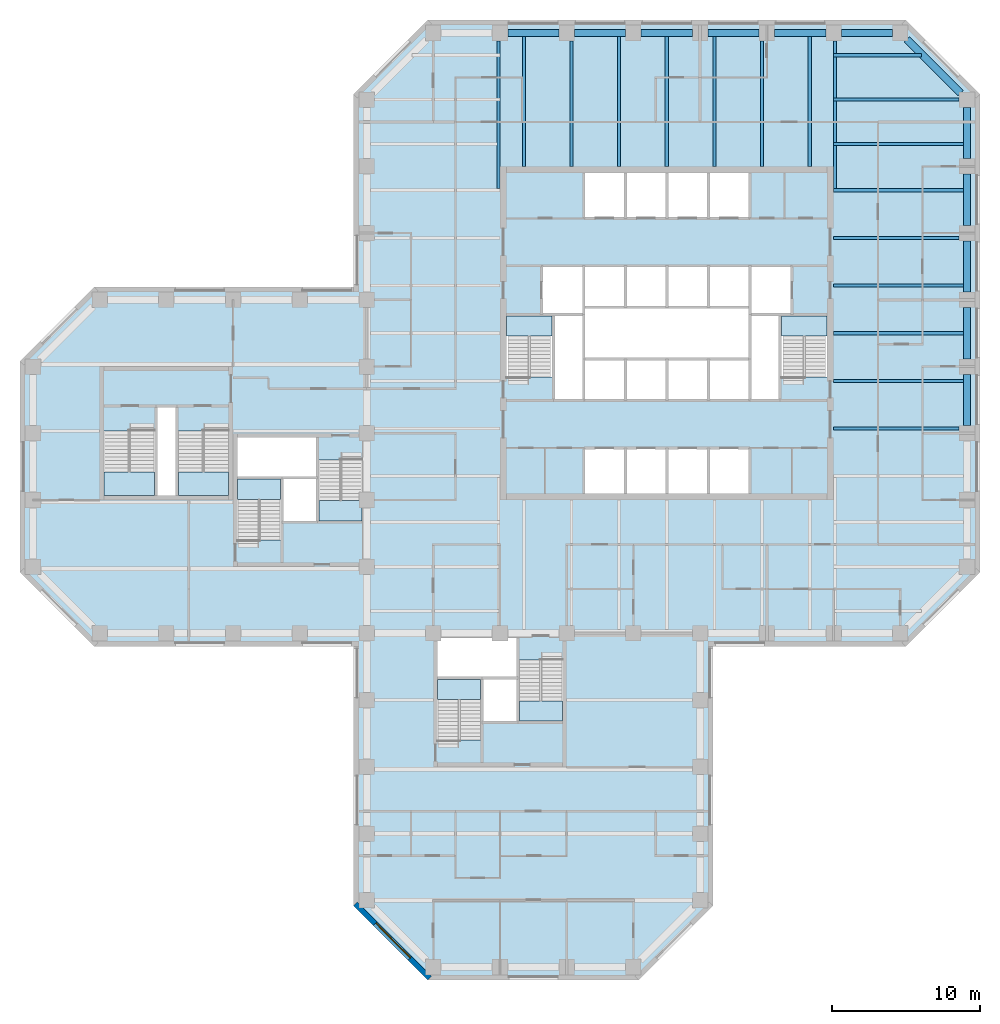
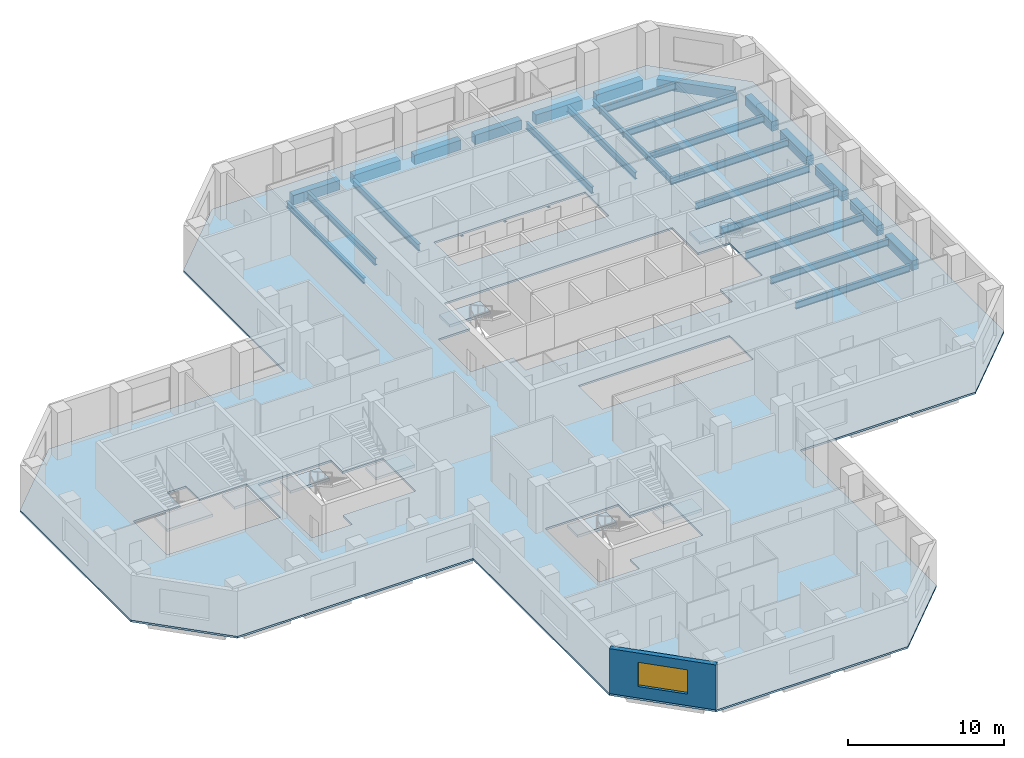
# One storey, part 2 of 11: 30 beams, 9 slabs, 1 wall, 1 window, 1 opening, 8 elements without a shape of their own.
"""IFC4 building model written with IfcOpenShell, lengths in metres."""

from ifc_helpers import new_model, si_unit, direction, frame, frame_2d, origin, origin_2d, place, context, subcontext, project, spatial, polyline, rectangle, i_section, outline, extrude, material, layer, layer_set, constituent, constituent_set, material_profile, profile_set, type_object, element, fill, aggregate, save


model = new_model("IFC4")

# Units and contexts
model_context = context("Model", 3, precision=1e-05, world=origin(), true_north=direction((0.0, 1.0)))
body_context = subcontext(model_context, "Body", "Model", "MODEL_VIEW")
ifc_project = project(units=[si_unit("LENGTHUNIT", "METRE"), si_unit("AREAUNIT", "SQUARE_METRE"), si_unit("VOLUMEUNIT", "CUBIC_METRE"), si_unit("PLANEANGLEUNIT", "RADIAN"), si_unit("MASSUNIT", "GRAM", prefix="KILO")], contexts=[model_context])

# Site, building, storey
site_placement = place(None, origin())
site = spatial("IfcSite", under=ifc_project, at=site_placement, CompositionType="ELEMENT")
building_placement = place(site_placement, origin())
building = spatial("IfcBuilding", under=site, at=building_placement, Name="Quoin Convention Tower", CompositionType="ELEMENT")
storey_placement = place(building_placement, frame((0.0, 0.0, 130.699951171875)))
storey = spatial("IfcBuildingStorey", under=building, at=storey_placement, Name="L34", CompositionType="ELEMENT", Elevation=130.699951171875)

# Beams
ifc_material_1 = material(Name="Steel Grade 300", Category="steel")
ifc_material_profile_1 = material_profile(ifc_material_1, i_section(OverallWidth=0.18994140625, OverallDepth=0.4541015625, WebThickness=0.008544921875, FlangeThickness=0.0126953125, FilletRadius=0.011474609375, at=origin_2d()), Name="460UB67.1")
ifc_profile_set_1 = profile_set([ifc_material_profile_1], Name="Steel Grade 300")
beam_type_1 = type_object("IfcBeamType", Name="460UB67.1", PredefinedType="BEAM", material=ifc_profile_set_1)
for number, where, z_axis, x_axis, name in (
    (1, (44.8955078125, 80.47509765625, -0.376953125), (0.0, -1.0, 0.0), (1.0, 0.0, 0.0), "gir-L34-T1NW"),
    (2, (67.6044921875, 80.47509765625, -0.376953125), (0.0, -1.0, 0.0), (1.0, 0.0, 0.0), "gir-L34-T1NE"),
):
    element("IfcBeam", number, at=place(storey_placement, frame(where, z_axis=z_axis, x_axis=x_axis)), inside=storey, type_object=beam_type_1, Name=name, PredefinedType="BEAM", context=body_context, shape_type="SweptSolid", body=[
        extrude(i_section(OverallWidth=0.18994140625, OverallDepth=0.4541015625, WebThickness=0.008544921875, FlangeThickness=0.0126953125, FilletRadius=0.011474609375, at=origin_2d()), origin(), (0.0, 0.0, 1.0), 9.977783203125),
    ])
ifc_material_profile_2 = material_profile(ifc_material_1, i_section(OverallWidth=0.208984375, OverallDepth=0.528076171875, WebThickness=0.009521484375, FlangeThickness=0.01318359375, FilletRadius=0.013916015625, at=origin_2d()), Name="530UB82.0")
ifc_profile_set_2 = profile_set([ifc_material_profile_2], Name="Steel Grade 300")
beam_type_2 = type_object("IfcBeamType", Name="530UB82.0", PredefinedType="BEAM", material=ifc_profile_set_2)
beam_1_placement = place(storey_placement, frame((67.5, 54.3212890625, -0.4140625), z_axis=(1.0, 0.0, 0.0), x_axis=(0.0, 1.0, 0.0)))
element("IfcBeam", 3, at=beam_1_placement, inside=storey, type_object=beam_type_2, Name="bm-L34-T1E1", PredefinedType="BEAM", context=body_context, shape_type="SweptSolid", body=[
    extrude(i_section(OverallWidth=0.208984375, OverallDepth=0.528076171875, WebThickness=0.009521484375, FlangeThickness=0.01318359375, FilletRadius=0.013916015625, at=origin_2d()), origin(), (0.0, 0.0, 1.0), 8.47509765625),
])
for number, where, z_axis, x_axis, name in (
    (4, (67.5, 57.53564453125, -0.4140625), (1.0, 0.0, 0.0), (0.0, 1.0, 0.0), "bm-L34-T1E2"),
    (5, (67.5, 60.75, -0.4140625), (1.0, 0.0, 0.0), (0.0, 1.0, 0.0), "bm-L34-T1E3"),
    (6, (67.5, 63.96435546875, -0.4140625), (1.0, 0.0, 0.0), (0.0, 1.0, 0.0), "bm-L34-T1E4"),
):
    element("IfcBeam", number, at=place(storey_placement, frame(where, z_axis=z_axis, x_axis=x_axis)), inside=storey, type_object=beam_type_2, Name=name, PredefinedType="BEAM", context=body_context, shape_type="SweptSolid", body=[
        extrude(i_section(OverallWidth=0.208984375, OverallDepth=0.528076171875, WebThickness=0.009521484375, FlangeThickness=0.01318359375, FilletRadius=0.013916015625, at=origin_2d()), origin(), (0.0, 0.0, 1.0), 8.75),
    ])
beam_2_placement = place(storey_placement, frame((67.5, 67.1787109375, -0.4140625), z_axis=(1.0, 0.0, 0.0), x_axis=(0.0, 1.0, 0.0)))
element("IfcBeam", 7, at=beam_2_placement, inside=storey, type_object=beam_type_2, Name="bm-L34-T1E5", PredefinedType="BEAM", context=body_context, shape_type="SweptSolid", body=[
    extrude(i_section(OverallWidth=0.208984375, OverallDepth=0.528076171875, WebThickness=0.009521484375, FlangeThickness=0.01318359375, FilletRadius=0.013916015625, at=origin_2d()), origin(), (0.0, 0.0, 1.0), 8.47509765625),
])
for number, where, z_axis, x_axis, name in (
    (8, (67.5, 70.392822265625, -0.4140625), (1.0, 0.0, 0.0), (0.0, 1.0, 0.0), "bm-L34-T1E6"),
    (9, (46.607177734375, 72.0, -0.4140625), (0.0, 1.0, 0.0), (-1.0, 0.0, 0.0), "bm-L34-T1N0"),
):
    element("IfcBeam", number, at=place(storey_placement, frame(where, z_axis=z_axis, x_axis=x_axis)), inside=storey, type_object=beam_type_2, Name=name, PredefinedType="BEAM", context=body_context, shape_type="SweptSolid", body=[
        extrude(i_section(OverallWidth=0.208984375, OverallDepth=0.528076171875, WebThickness=0.009521484375, FlangeThickness=0.01318359375, FilletRadius=0.013916015625, at=origin_2d()), origin(), (0.0, 0.0, 1.0), 8.75),
    ])
beam_3_placement = place(storey_placement, frame((49.8212890625, 72.0, -0.4140625), z_axis=(0.0, 1.0, 0.0), x_axis=(-1.0, 0.0, 0.0)))
element("IfcBeam", 10, at=beam_3_placement, inside=storey, type_object=beam_type_2, Name="bm-L34-T1N1", PredefinedType="BEAM", context=body_context, shape_type="SweptSolid", body=[
    extrude(i_section(OverallWidth=0.208984375, OverallDepth=0.528076171875, WebThickness=0.009521484375, FlangeThickness=0.01318359375, FilletRadius=0.013916015625, at=origin_2d()), origin(), (0.0, 0.0, 1.0), 8.47509765625),
])
for number, where, z_axis, x_axis, name in (
    (11, (53.03564453125, 72.0, -0.4140625), (0.0, 1.0, 0.0), (-1.0, 0.0, 0.0), "bm-L34-T1N2"),
    (12, (56.25, 72.0, -0.4140625), (0.0, 1.0, 0.0), (-1.0, 0.0, 0.0), "bm-L34-T1N3"),
    (13, (59.46435546875, 72.0, -0.4140625), (0.0, 1.0, 0.0), (-1.0, 0.0, 0.0), "bm-L34-T1N4"),
):
    element("IfcBeam", number, at=place(storey_placement, frame(where, z_axis=z_axis, x_axis=x_axis)), inside=storey, type_object=beam_type_2, Name=name, PredefinedType="BEAM", context=body_context, shape_type="SweptSolid", body=[
        extrude(i_section(OverallWidth=0.208984375, OverallDepth=0.528076171875, WebThickness=0.009521484375, FlangeThickness=0.01318359375, FilletRadius=0.013916015625, at=origin_2d()), origin(), (0.0, 0.0, 1.0), 8.75),
    ])
beam_4_placement = place(storey_placement, frame((62.6787109375, 72.0, -0.4140625), z_axis=(0.0, 1.0, 0.0), x_axis=(-1.0, 0.0, 0.0)))
element("IfcBeam", 14, at=beam_4_placement, inside=storey, type_object=beam_type_2, Name="bm-L34-T1N5", PredefinedType="BEAM", context=body_context, shape_type="SweptSolid", body=[
    extrude(i_section(OverallWidth=0.208984375, OverallDepth=0.528076171875, WebThickness=0.009521484375, FlangeThickness=0.01318359375, FilletRadius=0.013916015625, at=origin_2d()), origin(), (0.0, 0.0, 1.0), 8.47509765625),
])
beam_5_placement = place(storey_placement, frame((65.892822265625, 72.0, -0.4140625), z_axis=(0.0, 1.0, 0.0), x_axis=(-1.0, 0.0, 0.0)))
element("IfcBeam", 15, at=beam_5_placement, inside=storey, type_object=beam_type_2, Name="bm-L34-T1N6", PredefinedType="BEAM", context=body_context, shape_type="SweptSolid", body=[
    extrude(i_section(OverallWidth=0.208984375, OverallDepth=0.528076171875, WebThickness=0.009521484375, FlangeThickness=0.01318359375, FilletRadius=0.013916015625, at=origin_2d()), origin(), (0.0, 0.0, 1.0), 8.75),
])
beam_6_placement = place(storey_placement, frame((67.5, 79.5, -0.4140625), z_axis=(1.0, 0.0, 0.0), x_axis=(0.0, 1.0, 0.0)))
element("IfcBeam", 16, at=beam_6_placement, inside=storey, type_object=beam_type_2, Name="bm-L34-T1NE0", PredefinedType="BEAM", context=body_context, shape_type="SweptSolid", body=[
    extrude(i_section(OverallWidth=0.208984375, OverallDepth=0.528076171875, WebThickness=0.009521484375, FlangeThickness=0.01318359375, FilletRadius=0.013916015625, at=origin_2d()), origin(), (0.0, 0.0, 1.0), 5.927734375),
])
beam_7_placement = place(storey_placement, frame((67.5, 76.5, -0.4140625), z_axis=(1.0, 0.0, 0.0), x_axis=(0.0, 1.0, 0.0)))
element("IfcBeam", 17, at=beam_7_placement, inside=storey, type_object=beam_type_2, Name="bm-L34-T1NE1", PredefinedType="BEAM", context=body_context, shape_type="SweptSolid", body=[
    extrude(i_section(OverallWidth=0.208984375, OverallDepth=0.528076171875, WebThickness=0.009521484375, FlangeThickness=0.01318359375, FilletRadius=0.013916015625, at=origin_2d()), origin(), (0.0, 0.0, 1.0), 8.47509765625),
])
beam_8_placement = place(storey_placement, frame((67.5, 73.5, -0.4140625), z_axis=(1.0, 0.0, 0.0), x_axis=(0.0, 1.0, 0.0)))
element("IfcBeam", 18, at=beam_8_placement, inside=storey, type_object=beam_type_2, Name="bm-L34-T1NE2", PredefinedType="BEAM", context=body_context, shape_type="SweptSolid", body=[
    extrude(i_section(OverallWidth=0.208984375, OverallDepth=0.528076171875, WebThickness=0.009521484375, FlangeThickness=0.01318359375, FilletRadius=0.013916015625, at=origin_2d()), origin(), (0.0, 0.0, 1.0), 8.75),
])
ifc_material_2 = material(Name="Concrete C65", Category="concrete")
ifc_material_profile_3 = material_profile(ifc_material_2, rectangle(XDim=0.5, YDim=0.75, at=origin_2d()), Name="RC 500x750")
ifc_profile_set_3 = profile_set([ifc_material_profile_3], Name="Concrete C65")
beam_type_3 = type_object("IfcBeamType", Name="RC 500x750 C65", PredefinedType="SPANDREL", material=ifc_profile_set_3)
for number, where, z_axis, x_axis, name in (
    (19, (76.5, 54.52490234375, -0.52490234375), (0.0, 1.0, 0.0), (-1.0, 0.0, 0.0), "spd-L34-76500_54000-76500_58500"),
    (20, (76.5, 59.02490234375, -0.52490234375), (0.0, 1.0, 0.0), (-1.0, 0.0, 0.0), "spd-L34-76500_58500-76500_63000"),
    (21, (76.5, 63.52490234375, -0.52490234375), (0.0, 1.0, 0.0), (-1.0, 0.0, 0.0), "spd-L34-76500_63000-76500_67500"),
    (22, (76.5, 68.02490234375, -0.52490234375), (0.0, 1.0, 0.0), (-1.0, 0.0, 0.0), "spd-L34-76500_67500-76500_72000"),
    (23, (76.5, 72.52490234375, -0.52490234375), (0.0, 1.0, 0.0), (-1.0, 0.0, 0.0), "spd-L34-76500_72000-76500_76500"),
):
    element("IfcBeam", number, at=place(storey_placement, frame(where, z_axis=z_axis, x_axis=x_axis)), inside=storey, type_object=beam_type_3, Name=name, PredefinedType="SPANDREL", context=body_context, shape_type="SweptSolid", body=[
        extrude(rectangle(XDim=0.5, YDim=0.75, at=origin_2d()), origin(), (0.0, 0.0, 1.0), 3.4501953125),
    ])
beam_9_placement = place(storey_placement, frame((76.059814453125, 76.940185546875, -0.52490234375), z_axis=(-0.707106781187, 0.707106781187, 0.0), x_axis=(-0.707106781187, -0.707106781187, 0.0)))
element("IfcBeam", 24, at=beam_9_placement, inside=storey, type_object=beam_type_3, Name="spd-L34-76500_76500-72000_81000", PredefinedType="SPANDREL", context=body_context, shape_type="SweptSolid", body=[
    extrude(rectangle(XDim=0.5, YDim=0.75, at=origin_2d()), origin(), (0.0, 0.0, 1.0), 5.118896484375),
])
for number, where, z_axis, x_axis, name in (
    (25, (71.47509765625, 81.0, -0.52490234375), (-1.0, 0.0, 0.0), (0.0, -1.0, 0.0), "spd-L34-72000_81000-67500_81000"),
    (26, (66.97509765625, 81.0, -0.52490234375), (-1.0, 0.0, 0.0), (0.0, -1.0, 0.0), "spd-L34-67500_81000-63000_81000"),
    (27, (62.47509765625, 81.0, -0.52490234375), (-1.0, 0.0, 0.0), (0.0, -1.0, 0.0), "spd-L34-63000_81000-58500_81000"),
    (28, (57.97509765625, 81.0, -0.52490234375), (-1.0, 0.0, 0.0), (0.0, -1.0, 0.0), "spd-L34-58500_81000-54000_81000"),
    (29, (53.47509765625, 81.0, -0.52490234375), (-1.0, 0.0, 0.0), (0.0, -1.0, 0.0), "spd-L34-54000_81000-49500_81000"),
    (30, (48.97509765625, 81.0, -0.52490234375), (-1.0, 0.0, 0.0), (0.0, -1.0, 0.0), "spd-L34-49500_81000-45000_81000"),
):
    element("IfcBeam", number, at=place(storey_placement, frame(where, z_axis=z_axis, x_axis=x_axis)), inside=storey, type_object=beam_type_3, Name=name, PredefinedType="SPANDREL", context=body_context, shape_type="SweptSolid", body=[
        extrude(rectangle(XDim=0.5, YDim=0.75, at=origin_2d()), origin(), (0.0, 0.0, 1.0), 3.4501953125),
    ])

# Slab
ifc_material_3 = material(Name="Concrete C40", Category="concrete")
ifc_layer_1 = layer(ifc_material_3, 0.14990234375)
ifc_layer_set_1 = layer_set([ifc_layer_1], Name="Concrete C40")
slab_type_1 = type_object("IfcSlabType", Name="COMPOSITE SLAB 150 C40", PredefinedType="FLOOR", material=ifc_layer_set_1)
slab_1_placement = place(storey_placement, frame((0.0, 0.0, -0.14990234375)))
element("IfcSlab", 31, at=slab_1_placement, inside=storey, type_object=slab_type_1, Name="slb-L34", PredefinedType="FLOOR", context=body_context, shape_type="SweptSolid", body=[
    extrude(outline(polyline([(59.375, 22.1376953125), (54.3623046875, 17.125), (40.1376953125, 17.125), (35.125, 22.1376953125), (35.125, 39.625), (17.6376953125, 39.625), (12.625, 44.6376953125), (12.625, 58.8623046875), (17.6376953125, 63.875), (35.125, 63.875), (35.125, 76.8623046875), (40.1376953125, 81.875), (72.3623046875, 81.875), (77.375, 76.8623046875), (77.375, 44.6376953125), (72.3623046875, 39.625), (59.375, 39.625), (59.375, 22.1376953125)]), holes=[polyline([(40.800048828125, 40.199951171875), (40.800048828125, 37.5), (40.800048828125, 33.300537109375), (43.800048828125, 33.300537109375), (43.800048828125, 34.5), (46.199951171875, 34.5), (49.199951171875, 34.5), (49.199951171875, 38.699462890625), (46.199951171875, 38.699462890625), (46.199951171875, 40.199951171875), (40.800048828125, 40.199951171875)]), polyline([(35.699951171875, 52.199462890625), (32.699951171875, 52.199462890625), (32.699951171875, 53.699951171875), (27.300048828125, 53.699951171875), (27.300048828125, 51.0), (27.300048828125, 46.800537109375), (30.300048828125, 46.800537109375), (30.300048828125, 48.0), (32.699951171875, 48.0), (35.699951171875, 48.0), (35.699951171875, 52.199462890625)]), polyline([(53.449951171875, 49.949951171875), (56.25, 49.949951171875), (59.050048828125, 49.949951171875), (61.85009765625, 49.949951171875), (61.85009765625, 53.0), (59.050048828125, 53.0), (56.25, 53.0), (53.449951171875, 53.0), (50.64990234375, 53.0), (50.64990234375, 49.949951171875), (53.449951171875, 49.949951171875)]), polyline([(21.800048828125, 55.85009765625), (21.800048828125, 54.1494140625), (18.300048828125, 54.1494140625), (18.300048828125, 49.800048828125), (21.800048828125, 49.800048828125), (23.199951171875, 49.800048828125), (26.699951171875, 49.800048828125), (26.699951171875, 54.1494140625), (23.199951171875, 54.1494140625), (23.199951171875, 55.85009765625), (21.800048828125, 55.85009765625)]), polyline([(48.60009765625, 57.800537109375), (48.60009765625, 56.199951171875), (50.64990234375, 56.199951171875), (53.449951171875, 56.199951171875), (56.25, 56.199951171875), (59.050048828125, 56.199951171875), (61.85009765625, 56.199951171875), (63.89990234375, 56.199951171875), (63.89990234375, 57.800537109375), (67.050048828125, 57.800537109375), (67.050048828125, 62.0), (64.699951171875, 62.0), (64.699951171875, 65.300048828125), (61.85009765625, 65.300048828125), (59.050048828125, 65.300048828125), (56.25, 65.300048828125), (53.449951171875, 65.300048828125), (50.64990234375, 65.300048828125), (47.800048828125, 65.300048828125), (47.800048828125, 62.0), (45.449951171875, 62.0), (45.449951171875, 57.800537109375), (48.60009765625, 57.800537109375)]), polyline([(50.64990234375, 68.5), (53.449951171875, 68.5), (56.25, 68.5), (59.050048828125, 68.5), (61.85009765625, 68.5), (61.85009765625, 71.550048828125), (59.050048828125, 71.550048828125), (56.25, 71.550048828125), (53.449951171875, 71.550048828125), (50.64990234375, 71.550048828125), (50.64990234375, 68.5)])]), origin(), (0.0, 0.0, 1.0), 0.14990234375),
])

# Stair, slab
stair_type_1 = type_object("IfcStairType", Name="Exit stair two-flight 1350", PredefinedType="HALF_TURN_STAIR", material=ifc_material_3)
stair_1_placement = place(storey_placement, origin())
stair_1 = element("IfcStair", 32, at=stair_1_placement, inside=storey, type_object=stair_type_1, Name="SD1 L34", PredefinedType="HALF_TURN_STAIR")
ifc_layer_2 = layer(ifc_material_3, 0.199951171875)
ifc_layer_set_2 = layer_set([ifc_layer_2], Name="Concrete C40")
slab_type_2 = type_object("IfcSlabType", Name="Stair landing 200", PredefinedType="LANDING", material=ifc_layer_set_2)
slab_2_placement = place(storey_placement, frame((0.0, 0.0, 1.792236328125)))
slab_2 = element("IfcSlab", 33, at=slab_2_placement, type_object=slab_type_2, Name="ST1 landing 1", PredefinedType="LANDING", context=body_context, shape_type="SweptSolid", body=[
    extrude(outline(polyline([(45.449951171875, 60.550048828125), (48.5, 60.550048828125), (48.5, 61.89990234375), (45.449951171875, 61.89990234375), (45.449951171875, 60.550048828125)])), origin(), (0.0, 0.0, 1.0), 0.2001953125),
])
aggregate(stair_1, [slab_2])

stair_2_placement = place(storey_placement, origin())
stair_2 = element("IfcStair", 34, at=stair_2_placement, inside=storey, type_object=stair_type_1, Name="SD2 L34", PredefinedType="HALF_TURN_STAIR")
slab_3_placement = place(storey_placement, frame((0.0, 0.0, 1.792236328125)))
slab_3 = element("IfcSlab", 35, at=slab_3_placement, type_object=slab_type_2, Name="ST2 landing 1", PredefinedType="LANDING", context=body_context, shape_type="SweptSolid", body=[
    extrude(outline(polyline([(64.0, 60.550048828125), (67.050048828125, 60.550048828125), (67.050048828125, 61.89990234375), (64.0, 61.89990234375), (64.0, 60.550048828125)])), origin(), (0.0, 0.0, 1.0), 0.2001953125),
])
aggregate(stair_2, [slab_3])

stair_3_placement = place(storey_placement, origin())
stair_3 = element("IfcStair", 36, at=stair_3_placement, inside=storey, type_object=stair_type_1, Name="SD3 L34", PredefinedType="HALF_TURN_STAIR")
slab_4_placement = place(storey_placement, frame((0.0, 0.0, 1.792236328125)))
slab_4 = element("IfcSlab", 37, at=slab_4_placement, type_object=slab_type_2, Name="ST3 landing 1", PredefinedType="LANDING", context=body_context, shape_type="SweptSolid", body=[
    extrude(outline(polyline([(27.300048828125, 49.550048828125), (30.199951171875, 49.550048828125), (30.199951171875, 50.89990234375), (27.300048828125, 50.89990234375), (27.300048828125, 49.550048828125)])), origin(), (0.0, 0.0, 1.0), 0.2001953125),
])
aggregate(stair_3, [slab_4])

stair_4_placement = place(storey_placement, origin())
stair_4 = element("IfcStair", 38, at=stair_4_placement, inside=storey, type_object=stair_type_1, Name="SD4 L34", PredefinedType="HALF_TURN_STAIR")
slab_5_placement = place(storey_placement, frame((0.0, 0.0, 1.792236328125)))
slab_5 = element("IfcSlab", 39, at=slab_5_placement, type_object=slab_type_2, Name="ST4 landing 1", PredefinedType="LANDING", context=body_context, shape_type="SweptSolid", body=[
    extrude(outline(polyline([(35.699951171875, 49.449951171875), (32.800048828125, 49.449951171875), (32.800048828125, 48.10009765625), (35.699951171875, 48.10009765625), (35.699951171875, 49.449951171875)])), origin(), (0.0, 0.0, 1.0), 0.2001953125),
])
aggregate(stair_4, [slab_5])

stair_5_placement = place(storey_placement, origin())
stair_5 = element("IfcStair", 40, at=stair_5_placement, inside=storey, type_object=stair_type_1, Name="SD5 L34", PredefinedType="HALF_TURN_STAIR")
slab_6_placement = place(storey_placement, frame((0.0, 0.0, 1.792236328125)))
slab_6 = element("IfcSlab", 41, at=slab_6_placement, type_object=slab_type_2, Name="ST5 landing 1", PredefinedType="LANDING", context=body_context, shape_type="SweptSolid", body=[
    extrude(outline(polyline([(40.800048828125, 36.050048828125), (43.699951171875, 36.050048828125), (43.699951171875, 37.39990234375), (40.800048828125, 37.39990234375), (40.800048828125, 36.050048828125)])), origin(), (0.0, 0.0, 1.0), 0.2001953125),
])
aggregate(stair_5, [slab_6])

stair_6_placement = place(storey_placement, origin())
stair_6 = element("IfcStair", 42, at=stair_6_placement, inside=storey, type_object=stair_type_1, Name="SD6 L34", PredefinedType="HALF_TURN_STAIR")
slab_7_placement = place(storey_placement, frame((0.0, 0.0, 1.792236328125)))
slab_7 = element("IfcSlab", 43, at=slab_7_placement, type_object=slab_type_2, Name="ST6 landing 1", PredefinedType="LANDING", context=body_context, shape_type="SweptSolid", body=[
    extrude(outline(polyline([(49.199951171875, 35.949951171875), (46.300048828125, 35.949951171875), (46.300048828125, 34.60009765625), (49.199951171875, 34.60009765625), (49.199951171875, 35.949951171875)])), origin(), (0.0, 0.0, 1.0), 0.2001953125),
])
aggregate(stair_6, [slab_7])

stair_type_2 = type_object("IfcStairType", Name="Exit stair two-flight 1600", PredefinedType="HALF_TURN_STAIR", material=ifc_material_3)
stair_7_placement = place(storey_placement, origin())
stair_7 = element("IfcStair", 44, at=stair_7_placement, inside=storey, type_object=stair_type_2, Name="SD11 L34", PredefinedType="HALF_TURN_STAIR")
slab_8_placement = place(storey_placement, frame((0.0, 0.0, 1.792236328125)))
slab_8 = element("IfcSlab", 45, at=slab_8_placement, type_object=slab_type_2, Name="ST11 landing 1", PredefinedType="LANDING", context=body_context, shape_type="SweptSolid", body=[
    extrude(outline(polyline([(21.699951171875, 51.39990234375), (18.300048828125, 51.39990234375), (18.300048828125, 49.800048828125), (21.699951171875, 49.800048828125), (21.699951171875, 51.39990234375)])), origin(), (0.0, 0.0, 1.0), 0.2001953125),
])
aggregate(stair_7, [slab_8])

stair_8_placement = place(storey_placement, origin())
stair_8 = element("IfcStair", 46, at=stair_8_placement, inside=storey, type_object=stair_type_2, Name="SD12 L34", PredefinedType="HALF_TURN_STAIR")
slab_9_placement = place(storey_placement, frame((0.0, 0.0, 1.792236328125)))
slab_9 = element("IfcSlab", 47, at=slab_9_placement, type_object=slab_type_2, Name="ST12 landing 1", PredefinedType="LANDING", context=body_context, shape_type="SweptSolid", body=[
    extrude(outline(polyline([(26.699951171875, 51.39990234375), (23.300048828125, 51.39990234375), (23.300048828125, 49.800048828125), (26.699951171875, 49.800048828125), (26.699951171875, 51.39990234375)])), origin(), (0.0, 0.0, 1.0), 0.2001953125),
])
aggregate(stair_8, [slab_9])

# Wall, opening, window
ifc_material_4 = material(Name="Brick masonry", Category="masonry")
ifc_layer_3 = layer(ifc_material_4, 0.35009765625)
ifc_layer_set_3 = layer_set([ifc_layer_3], Name="Brick masonry")
wall_type = type_object("IfcWallType", Name="Brick facade wall", PredefinedType="STANDARD", material=ifc_layer_set_3)
wall_placement = place(storey_placement, frame((35.248779296875, 22.26123046875, 0.0), z_axis=(0.0, 0.0, 1.0), x_axis=(0.707106781187, -0.707106781187, 0.0)))
wall = element("IfcWall", 48, at=wall_placement, inside=storey, type_object=wall_type, Name="fw-L34-36000_22500", PredefinedType="STANDARD", context=body_context, shape_type="SweptSolid", body=[
    extrude(rectangle(XDim=7.088623046875, YDim=0.35009765625, at=frame_2d((3.54443359375, 0.0))), origin(), (0.0, 0.0, 1.0), 3.525146484375),
])
opening_placement = place(wall_placement, frame((1.894287109375, 0.0, 0.89990234375)))
opening = element("IfcOpeningElement", 49, at=opening_placement, cuts=wall, Name="Opening W-02", PredefinedType="OPENING", context=body_context, shape_type="SweptSolid", body=[
    extrude(rectangle(XDim=3.300048828125, YDim=1.89990234375, at=frame_2d((1.64990234375, 0.949951171875))), frame((0.0, 0.18505859375, 0.0), z_axis=(0.0, -1.0, 0.0), x_axis=(1.0, 0.0, 0.0)), (0.0, 0.0, 1.0), 0.3701171875),
])
ifc_material_5 = material(Name="Aluminium", Category="aluminium")
ifc_constituent_1 = constituent(ifc_material_5, Name="Frame")
ifc_material_6 = material(Name="Insulated glass", Category="glass")
ifc_constituent_2 = constituent(ifc_material_6, Name="Glazing")
ifc_constituent_set = constituent_set(constituents=[ifc_constituent_1, ifc_constituent_2], Name="Aluminium")
window_type = type_object("IfcWindowType", Name="Office window", PartitioningType="DOUBLE_PANEL_VERTICAL", PredefinedType="WINDOW", material=ifc_constituent_set)
window_placement = place(opening_placement, origin())
window = element("IfcWindow", 50, at=window_placement, inside=storey, type_object=window_type, Name="win-L34-37755_19755", OverallHeight=1.89990234375, OverallWidth=3.300048828125, PartitioningType="SINGLE_PANEL", PredefinedType="WINDOW", context=body_context, shape_type="SweptSolid", body=[
    extrude(rectangle(XDim=3.300048828125, YDim=1.89990234375, at=frame_2d((1.64990234375, 0.949951171875))), frame((0.0, 0.0849609375, 0.0), z_axis=(0.0, -1.0, 0.0), x_axis=(1.0, 0.0, 0.0)), (0.0, 0.0, 1.0), 0.06005859375),
])
fill(opening, window)

save(model, "model.ifc")
